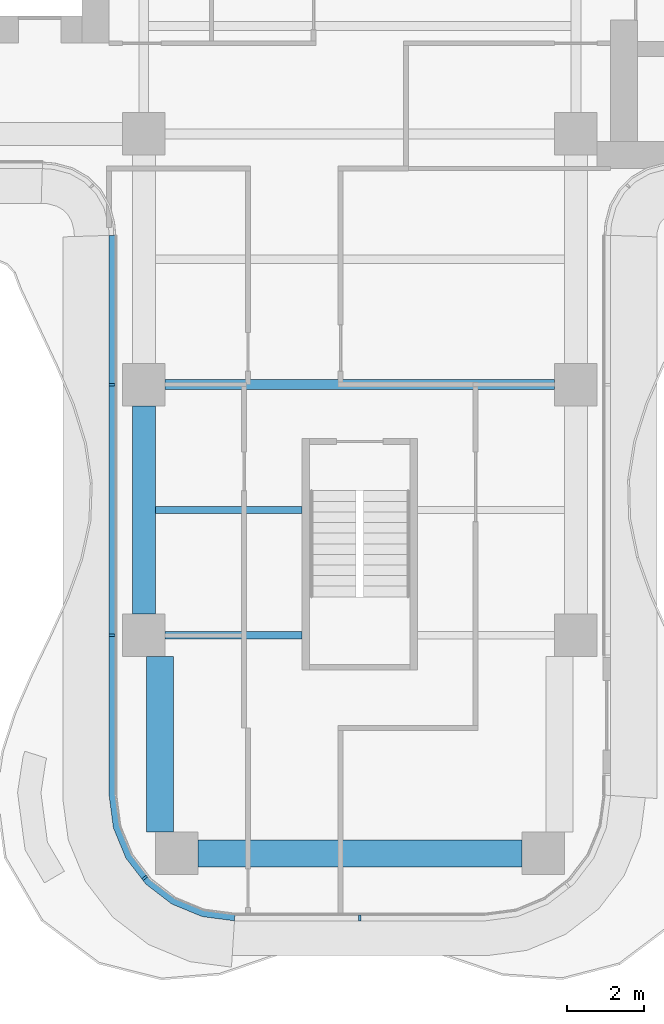
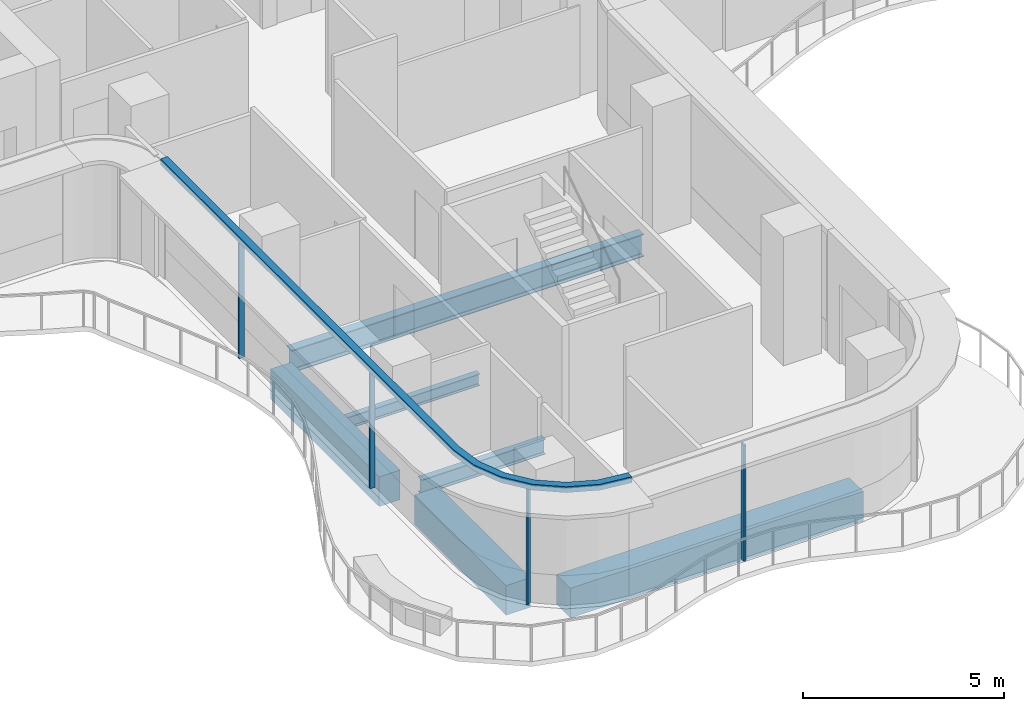
# One storey, part 2 of 17: 6 beams, 5 members, 2 elements without a shape of their own.
"""IFC4 building model written with IfcOpenShell, lengths in metres."""

from ifc_helpers import new_model, si_unit, direction, frame, origin, origin_2d, place, context, subcontext, project, spatial, polyline, rectangle, i_section, outline, extrude, source, transform, mapped, material, layer, layer_set, material_profile, profile_set, type_object, element, aggregate, save


model = new_model("IFC4")

# Units and contexts
model_context = context("Model", 3, precision=1e-05, world=origin(), true_north=direction((0.0, 1.0)))
body_context = subcontext(model_context, "Body", "Model", "MODEL_VIEW")
ifc_project = project(units=[si_unit("LENGTHUNIT", "METRE"), si_unit("AREAUNIT", "SQUARE_METRE"), si_unit("VOLUMEUNIT", "CUBIC_METRE"), si_unit("PLANEANGLEUNIT", "RADIAN"), si_unit("MASSUNIT", "GRAM", prefix="KILO")], contexts=[model_context])

# Site, building, storey
site_placement = place(None, origin())
site = spatial("IfcSite", under=ifc_project, at=site_placement, CompositionType="ELEMENT")
building_placement = place(site_placement, origin())
building = spatial("IfcBuilding", under=site, at=building_placement, Name="Trellis Farm Tower", CompositionType="ELEMENT")
storey_placement = place(building_placement, frame((0.0, 0.0, 236.300048828125)))
storey = spatial("IfcBuildingStorey", under=building, at=storey_placement, Name="L52", CompositionType="ELEMENT", Elevation=236.300048828125)

# Beams
ifc_material_1 = material(Name="Steel S355", Category="steel")
ifc_material_profile_1 = material_profile(ifc_material_1, i_section(OverallWidth=0.17138671875, OverallDepth=0.35498046875, WebThickness=0.00732421875, FlangeThickness=0.011474609375, FilletRadius=0.01025390625, at=origin_2d()), Name="UB 356x171x51")
ifc_profile_set_1 = profile_set([ifc_material_profile_1], Name="Steel S355")
beam_type_1 = type_object("IfcBeamType", Name="UB 356x171x51 joist", PredefinedType="JOIST", material=ifc_profile_set_1)
shared_shape_1 = source(origin(), body_context, "Body", "SweptSolid", [
    extrude(i_section(OverallWidth=0.17138671875, OverallDepth=0.35498046875, WebThickness=0.00732421875, FlangeThickness=0.011474609375, FilletRadius=0.01025390625, at=origin_2d()), origin(), (0.0, 0.0, 1.0), 3.800048828125),
])
beam_1_placement = place(storey_placement, frame((-5.300048828125, -15.35009765625, -0.37744140625), z_axis=(1.0, 0.0, 0.0), x_axis=(0.0, 1.0, 0.0)))
element("IfcBeam", 1, at=beam_1_placement, inside=storey, type_object=beam_type_1, Name="Floor beam", PredefinedType="JOIST", context=body_context, shape_type="MappedRepresentation", body=[
    mapped(shared_shape_1, transform((0.0, 0.0, 0.0))),
])
ifc_material_profile_2 = material_profile(ifc_material_1, i_section(OverallWidth=0.1904296875, OverallDepth=0.45703125, WebThickness=0.009033203125, FlangeThickness=0.014404296875, FilletRadius=0.01025390625, at=origin_2d()), Name="UB 457x191x74")
ifc_profile_set_2 = profile_set([ifc_material_profile_2], Name="Steel S355")
beam_type_2 = type_object("IfcBeamType", Name="UB 457x191x74", PredefinedType="BEAM", material=ifc_profile_set_2)
shared_shape_2 = source(origin(), body_context, "Body", "SweptSolid", [
    extrude(i_section(OverallWidth=0.1904296875, OverallDepth=0.45703125, WebThickness=0.009033203125, FlangeThickness=0.014404296875, FilletRadius=0.01025390625, at=origin_2d()), origin(), (0.0, 0.0, 1.0), 3.550048828125),
])
beam_2_placement = place(storey_placement, frame((-5.050048828125, -18.60009765625, -0.428466796875), z_axis=(1.0, 0.0, 0.0), x_axis=(0.0, 1.0, 0.0)))
element("IfcBeam", 2, at=beam_2_placement, inside=storey, type_object=beam_type_2, Name="Girder", PredefinedType="BEAM", context=body_context, shape_type="MappedRepresentation", body=[
    mapped(shared_shape_2, transform((0.0, 0.0, 0.0))),
])
ifc_material_profile_3 = material_profile(ifc_material_1, i_section(OverallWidth=0.253662109375, OverallDepth=0.68359375, WebThickness=0.012451171875, FlangeThickness=0.021728515625, FilletRadius=0.01513671875, at=origin_2d()), Name="UB 686x254x140")
ifc_profile_set_3 = profile_set([ifc_material_profile_3], Name="Steel S355")
beam_type_3 = type_object("IfcBeamType", Name="UB 686x254x140", PredefinedType="BEAM", material=ifc_profile_set_3)
shared_shape_3 = source(origin(), body_context, "Body", "SweptSolid", [
    extrude(i_section(OverallWidth=0.253662109375, OverallDepth=0.68359375, WebThickness=0.012451171875, FlangeThickness=0.021728515625, FilletRadius=0.01513671875, at=origin_2d()), origin(), (0.0, 0.0, 1.0), 10.10009765625),
])
beam_3_placement = place(storey_placement, frame((-5.050048828125, -12.10009765625, -0.541748046875), z_axis=(1.0, 0.0, 0.0), x_axis=(0.0, 1.0, 0.0)))
element("IfcBeam", 3, at=beam_3_placement, inside=storey, type_object=beam_type_3, Name="Girder", PredefinedType="BEAM", context=body_context, shape_type="MappedRepresentation", body=[
    mapped(shared_shape_3, transform((0.0, 0.0, 0.0))),
])
ifc_material_2 = material(Name="Concrete C60/75", Category="concrete")
ifc_material_profile_4 = material_profile(ifc_material_2, rectangle(XDim=0.60009765625, YDim=0.89990234375, at=origin_2d()), Name="RC spandrel beam 600x900 C60/75")
ifc_profile_set_4 = profile_set([ifc_material_profile_4], Name="Concrete C60/75")
beam_type_4 = type_object("IfcBeamType", Name="RC spandrel beam 600x900 C60/75", PredefinedType="SPANDREL", material=ifc_profile_set_4)
shared_shape_4 = source(origin(), body_context, "Body", "SweptSolid", [
    extrude(rectangle(XDim=0.60009765625, YDim=0.89990234375, at=origin_2d()), origin(), (0.0, 0.0, 1.0), 5.400146484375),
])
beam_4_placement = place(storey_placement, frame((-5.60009765625, -18.050048828125, -0.650146484375), z_axis=(0.0, 1.0, 0.0), x_axis=(-1.0, 0.0, 0.0)))
element("IfcBeam", 4, at=beam_4_placement, inside=storey, type_object=beam_type_4, Name="Girder", PredefinedType="SPANDREL", context=body_context, shape_type="MappedRepresentation", body=[
    mapped(shared_shape_4, transform((0.0, 0.0, 0.0))),
])
ifc_material_profile_5 = material_profile(ifc_material_2, rectangle(XDim=0.699951171875, YDim=0.89990234375, at=origin_2d()), Name="RC spandrel beam 700x900 C60/75")
ifc_profile_set_5 = profile_set([ifc_material_profile_5], Name="Concrete C60/75")
beam_type_5 = type_object("IfcBeamType", Name="RC spandrel beam 700x900 C60/75", PredefinedType="SPANDREL", material=ifc_profile_set_5)
shared_shape_5 = source(origin(), body_context, "Body", "SweptSolid", [
    extrude(rectangle(XDim=0.699951171875, YDim=0.89990234375, at=origin_2d()), origin(), (0.0, 0.0, 1.0), 8.39990234375),
])
beam_5_placement = place(storey_placement, frame((-4.199951171875, -24.25, -0.650146484375), z_axis=(1.0, 0.0, 0.0), x_axis=(0.0, 1.0, 0.0)))
element("IfcBeam", 5, at=beam_5_placement, inside=storey, type_object=beam_type_5, Name="Girder", PredefinedType="SPANDREL", context=body_context, shape_type="MappedRepresentation", body=[
    mapped(shared_shape_5, transform((0.0, 0.0, 0.0))),
])
shared_shape_6 = source(origin(), body_context, "Body", "SweptSolid", [
    extrude(rectangle(XDim=0.699951171875, YDim=0.89990234375, at=origin_2d()), origin(), (0.0, 0.0, 1.0), 4.550048828125),
])
beam_6_placement = place(storey_placement, frame((-5.175048828125, -23.699951171875, -0.650146484375), z_axis=(0.0, 1.0, 0.0), x_axis=(-1.0, 0.0, 0.0)))
element("IfcBeam", 6, at=beam_6_placement, inside=storey, type_object=beam_type_5, Name="Girder", PredefinedType="SPANDREL", context=body_context, shape_type="MappedRepresentation", body=[
    mapped(shared_shape_6, transform((0.0, 0.0, 0.0))),
])

# Curtain wall, members
ifc_material_3 = material(Name="Aluminium and glass curtain wall", Category="aluminium")
ifc_layer_1 = layer(ifc_material_3, 0.18994140625)
ifc_layer_set_1 = layer_set([ifc_layer_1], Name="RIBBON CURTAIN WALL CW1")
curtain_wall_type = type_object("IfcCurtainWallType", Name="RIBBON CURTAIN WALL CW1", PredefinedType="NOTDEFINED", material=ifc_layer_set_1)
placement = place(storey_placement, origin())
curtain_wall_1 = element("IfcCurtainWall", 7, at=placement, inside=storey, type_object=curtain_wall_type, Name="CW1 002", PredefinedType="NOTDEFINED")
ifc_material_4 = material(Name="Aluminium extrusion 6063-T6", Category="aluminium")
ifc_layer_2 = layer(ifc_material_4, 0.199951171875)
ifc_layer_set_2 = layer_set([ifc_layer_2], Name="Aluminium extrusion 6063-T6")
member_type_1 = type_object("IfcMemberType", Name="CW1 TRANSOM 200x180", PredefinedType="USERDEFINED", material=ifc_layer_set_2)
shared_shape_7 = source(origin(), body_context, "Body", "SweptSolid", [
    extrude(outline(polyline([(-6.5, -8.2314453125), (-6.5, -22.75), (-6.38916015625, -23.591064453125), (-6.064697265625, -24.375), (-5.548095703125, -25.048095703125), (-4.875, -25.564697265625), (-4.091064453125, -25.88916015625), (-3.25, -26.0), (-3.23681640625, -25.800048828125), (-4.0390625, -25.6943359375), (-4.774169921875, -25.389892578125), (-5.405517578125, -24.905517578125), (-5.889892578125, -24.274169921875), (-6.1943359375, -23.5390625), (-6.300048828125, -22.73681640625), (-6.300048828125, -8.224853515625), (-6.5, -8.2314453125)])), origin(), (0.0, 0.0, 1.0), 0.179931640625),
])
member_1_placement = place(storey_placement, frame((0.0, 0.0, 3.52001953125)))
member_1 = element("IfcMember", 8, at=member_1_placement, type_object=member_type_1, Name="TR1 002", ObjectType="TRANSOM", PredefinedType="USERDEFINED", context=body_context, shape_type="MappedRepresentation", body=[
    mapped(shared_shape_7, transform((0.0, 0.0, 0.0))),
])
ifc_material_profile_6 = material_profile(ifc_material_4, rectangle(XDim=0.06005859375, YDim=0.14990234375, at=origin_2d()), Name="MULLION 60x150")
ifc_profile_set_6 = profile_set([ifc_material_profile_6], Name="Aluminium extrusion 6063-T6")
member_type_2 = type_object("IfcMemberType", Name="CW1 MULLION 60x150", PredefinedType="MULLION", material=ifc_profile_set_6)
shared_shape_8 = source(origin(), body_context, "Body", "SweptSolid", [
    extrude(rectangle(XDim=0.06005859375, YDim=0.14990234375, at=origin_2d()), origin(), (0.0, 0.0, 1.0), 3.52001953125),
])
member_2_placement = place(storey_placement, frame((-6.425048828125, -12.10009765625, 0.0), z_axis=(0.0, 0.0, 1.0), x_axis=(0.0, -1.0, 0.0)))
member_2 = element("IfcMember", 9, at=member_2_placement, type_object=member_type_2, Name="MU1 002-01", PredefinedType="MULLION", context=body_context, shape_type="MappedRepresentation", body=[
    mapped(shared_shape_8, transform((0.0, 0.0, 0.0))),
])
member_3_placement = place(storey_placement, frame((-6.425048828125, -18.60009765625, 0.0), z_axis=(0.0, 0.0, 1.0), x_axis=(0.0, -1.0, 0.0)))
member_3 = element("IfcMember", 10, at=member_3_placement, type_object=member_type_2, Name="MU1 002-02", PredefinedType="MULLION", context=body_context, shape_type="MappedRepresentation", body=[
    mapped(shared_shape_8, transform((0.0, 0.0, 0.0))),
])
member_4_placement = place(storey_placement, frame((-5.578369140625, -24.885498046875, 0.0), z_axis=(0.0, 0.0, 1.0), x_axis=(0.608761429009, -0.793353340291, 0.0)))
member_4 = element("IfcMember", 11, at=member_4_placement, type_object=member_type_2, Name="MU1 002-03", PredefinedType="MULLION", context=body_context, shape_type="MappedRepresentation", body=[
    mapped(shared_shape_8, transform((0.0, 0.0, 0.0))),
])
aggregate(curtain_wall_1, [member_2, member_3, member_4, member_1])

# Curtain wall, member
curtain_wall_2 = element("IfcCurtainWall", 12, at=placement, inside=storey, type_object=curtain_wall_type, Name="CW1 003", PredefinedType="NOTDEFINED")
member_5_placement = place(storey_placement, frame((0.0, -25.925048828125, 0.0), z_axis=(0.0, 0.0, 1.0), x_axis=(1.0, 0.0, 0.0)))
member_5 = element("IfcMember", 13, at=member_5_placement, type_object=member_type_2, Name="MU1 003-01", PredefinedType="MULLION", context=body_context, shape_type="MappedRepresentation", body=[
    mapped(shared_shape_8, transform((0.0, 0.0, 0.0))),
])
aggregate(curtain_wall_2, [member_5])

save(model, "model.ifc")
